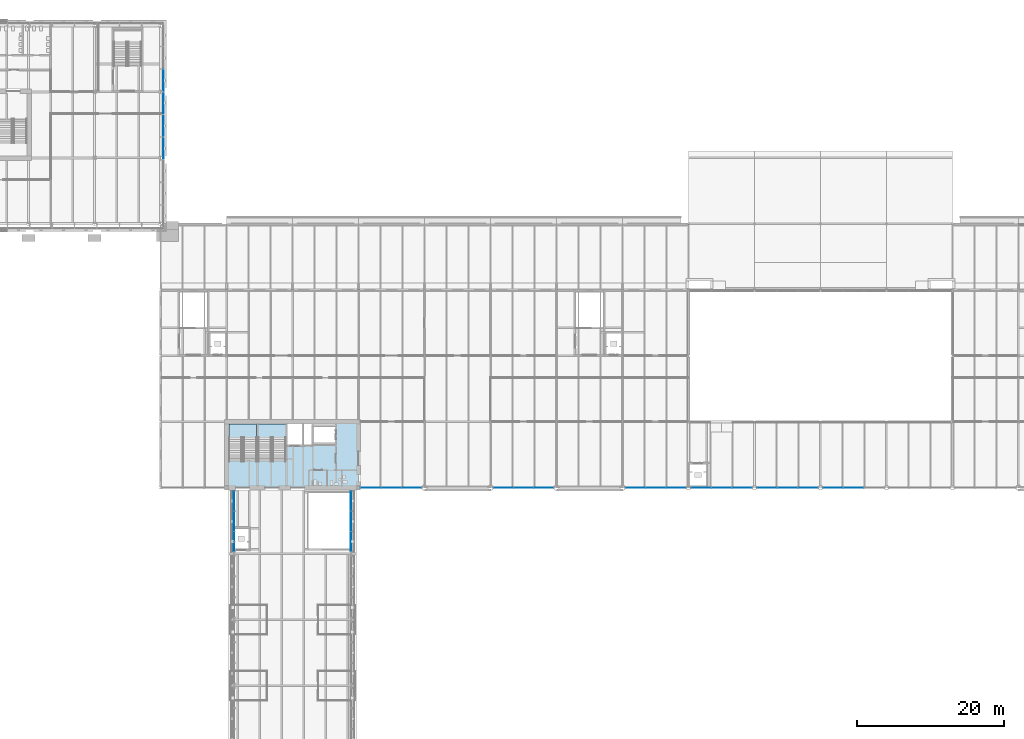
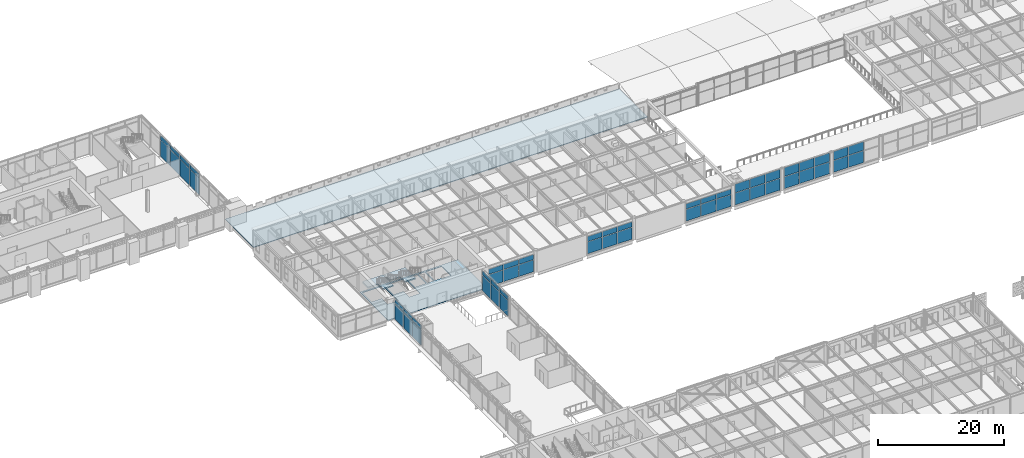
# One storey, part 55 of 123: 54 plates, 4 slabs, 11 elements without a shape of their own.
"""IFC4 building model written with IfcOpenShell, lengths in metres."""

from ifc_helpers import new_model, si_unit, direction, frame, origin, origin_2d, place, context, subcontext, project, spatial, polyline, rectangle, outline, extrude, material, layer, layer_set, type_object, element, aggregate, save


model = new_model("IFC4")

# Units and contexts
model_context = context("Model", 3, precision=1e-05, world=origin(), true_north=direction((0.0, 1.0)))
body_context = subcontext(model_context, "Body", "Model", "MODEL_VIEW")
ifc_project = project(units=[si_unit("LENGTHUNIT", "METRE"), si_unit("AREAUNIT", "SQUARE_METRE"), si_unit("VOLUMEUNIT", "CUBIC_METRE"), si_unit("PLANEANGLEUNIT", "RADIAN"), si_unit("MASSUNIT", "GRAM", prefix="KILO")], contexts=[model_context])

# Site, building, storey
site_placement = place(None, origin())
site = spatial("IfcSite", under=ifc_project, at=site_placement, CompositionType="ELEMENT")
building_placement = place(site_placement, origin())
building = spatial("IfcBuilding", under=site, at=building_placement, Name="Baradari Gate Terminus", CompositionType="ELEMENT")
storey_placement = place(building_placement, frame((0.0, 0.0, 7.5)))
storey = spatial("IfcBuildingStorey", under=building, at=storey_placement, Name="L01", CompositionType="ELEMENT", Elevation=7.5)

# Slabs
ifc_material_1 = material(Name="Concrete C35/45", Category="concrete")
ifc_layer_1 = layer(ifc_material_1, 0.1201171875)
ifc_layer_set_1 = layer_set([ifc_layer_1], Name="Concrete C35/45")
slab_type_1 = type_object("IfcSlabType", Name="Canopy roof slab SL7 120", PredefinedType="ROOF", material=ifc_layer_set_1)
slab_1_placement = place(storey_placement, frame((0.0, 0.0, 0.780029296875)))
element("IfcSlab", 1, at=slab_1_placement, inside=storey, type_object=slab_type_1, Name="Canopy roof", PredefinedType="ROOF", context=body_context, shape_type="SweptSolid", body=[
    extrude(outline(polyline([(63.0, 117.0), (63.0, 108.0), (135.0, 108.0), (135.0, 117.0), (63.0, 117.0)])), origin(), (0.0, 0.0, 1.0), 0.119873046875),
])
ifc_material_2 = material(Name="Concrete C35/45", Category="concrete")
ifc_layer_2 = layer(ifc_material_2, 0.1298828125)
ifc_layer_set_2 = layer_set([ifc_layer_2], Name="Concrete C35/45")
slab_type_2 = type_object("IfcSlabType", Name="Composite floor slab SL1 130", PredefinedType="FLOOR", material=ifc_layer_set_2)
slab_2_placement = place(storey_placement, frame((0.0, 0.0, -0.1298828125)))
element("IfcSlab", 2, at=slab_2_placement, inside=storey, type_object=slab_type_2, Name="Core floor GN", PredefinedType="FLOOR", context=body_context, shape_type="SweptSolid", body=[
    extrude(outline(polyline([(72.0, 81.0), (90.0, 81.0), (90.0, 90.0), (72.0, 90.0), (72.0, 81.0)]), holes=[polyline([(86.800048828125, 86.800048828125), (86.800048828125, 89.699951171875), (83.89990234375, 89.699951171875), (83.89990234375, 86.800048828125), (86.800048828125, 86.800048828125)]), polyline([(83.699951171875, 89.699951171875), (82.5, 89.699951171875), (82.5, 86.800048828125), (83.699951171875, 86.800048828125), (83.699951171875, 89.699951171875)]), polyline([(82.300048828125, 89.699951171875), (80.300048828125, 89.699951171875), (80.300048828125, 86.800048828125), (82.300048828125, 86.800048828125), (82.300048828125, 89.699951171875)]), polyline([(76.300048828125, 89.699951171875), (76.300048828125, 86.719970703125), (78.10009765625, 86.719970703125), (78.10009765625, 84.89990234375), (80.10009765625, 84.89990234375), (80.10009765625, 89.699951171875), (76.300048828125, 89.699951171875)]), polyline([(72.300048828125, 89.699951171875), (72.300048828125, 86.719970703125), (74.10009765625, 86.719970703125), (74.10009765625, 84.89990234375), (76.10009765625, 84.89990234375), (76.10009765625, 89.699951171875), (72.300048828125, 89.699951171875)])]), origin(), (0.0, 0.0, 1.0), 0.1298828125),
])

# Curtain wall, plates
ifc_material_3 = material(Name="Aluminium 6063-T6", Category="aluminium")
curtain_wall_type_1 = type_object("IfcCurtainWallType", Name="Curtain wall CW-11 concourse gallery glazing, other height", PredefinedType="NOTDEFINED", material=ifc_material_3)
curtain_wall_1_placement = place(storey_placement, origin())
curtain_wall_1 = element("IfcCurtainWall", 3, at=curtain_wall_1_placement, inside=storey, type_object=curtain_wall_type_1, Name="Glazed curtain wall CW-11 HS bay 16 L01", PredefinedType="NOTDEFINED")
ifc_material_4 = material(Name="Insulating glass unit", Category="glass")
ifc_layer_3 = layer(ifc_material_4, 0.0400390625)
ifc_layer_set_3 = layer_set([ifc_layer_3], Name="Insulating glass unit")
plate_type_1 = type_object("IfcPlateType", Name="Curtain wall glazing unit CP-11 40", PredefinedType="CURTAIN_PANEL", material=ifc_layer_set_3)
plate_1_placement = place(storey_placement, frame((136.723388671875, 81.0, 0.080078125), z_axis=(0.0, 0.0, 1.0), x_axis=(1.0, 0.0, 0.0)))
plate_1 = element("IfcPlate", 4, at=plate_1_placement, type_object=plate_type_1, Name="CW-11 panel 1.1", PredefinedType="CURTAIN_PANEL", context=body_context, shape_type="SweptSolid", body=[
    extrude(rectangle(XDim=2.6767578125, YDim=0.0400390625, at=origin_2d()), origin(), (0.0, 0.0, 1.0), 2.280029296875),
])
plate_2_placement = place(storey_placement, frame((136.723388671875, 81.0, 2.43994140625), z_axis=(0.0, 0.0, 1.0), x_axis=(1.0, 0.0, 0.0)))
plate_2 = element("IfcPlate", 5, at=plate_2_placement, type_object=plate_type_1, Name="CW-11 panel 1.2", PredefinedType="CURTAIN_PANEL", context=body_context, shape_type="SweptSolid", body=[
    extrude(rectangle(XDim=2.6767578125, YDim=0.0400390625, at=origin_2d()), origin(), (0.0, 0.0, 1.0), 1.679931640625),
])
plate_3_placement = place(storey_placement, frame((139.5, 81.0, 0.080078125), z_axis=(0.0, 0.0, 1.0), x_axis=(1.0, 0.0, 0.0)))
plate_3 = element("IfcPlate", 6, at=plate_3_placement, type_object=plate_type_1, Name="CW-11 panel 2.1", PredefinedType="CURTAIN_PANEL", context=body_context, shape_type="SweptSolid", body=[
    extrude(rectangle(XDim=2.716552734375, YDim=0.0400390625, at=origin_2d()), origin(), (0.0, 0.0, 1.0), 2.280029296875),
])
plate_4_placement = place(storey_placement, frame((139.5, 81.0, 2.43994140625), z_axis=(0.0, 0.0, 1.0), x_axis=(1.0, 0.0, 0.0)))
plate_4 = element("IfcPlate", 7, at=plate_4_placement, type_object=plate_type_1, Name="CW-11 panel 2.2", PredefinedType="CURTAIN_PANEL", context=body_context, shape_type="SweptSolid", body=[
    extrude(rectangle(XDim=2.716552734375, YDim=0.0400390625, at=origin_2d()), origin(), (0.0, 0.0, 1.0), 1.679931640625),
])
plate_5_placement = place(storey_placement, frame((142.276611328125, 81.0, 0.080078125), z_axis=(0.0, 0.0, 1.0), x_axis=(1.0, 0.0, 0.0)))
plate_5 = element("IfcPlate", 8, at=plate_5_placement, type_object=plate_type_1, Name="CW-11 panel 3.1", PredefinedType="CURTAIN_PANEL", context=body_context, shape_type="SweptSolid", body=[
    extrude(rectangle(XDim=2.6767578125, YDim=0.0400390625, at=origin_2d()), origin(), (0.0, 0.0, 1.0), 2.280029296875),
])
plate_6_placement = place(storey_placement, frame((142.276611328125, 81.0, 2.43994140625), z_axis=(0.0, 0.0, 1.0), x_axis=(1.0, 0.0, 0.0)))
plate_6 = element("IfcPlate", 9, at=plate_6_placement, type_object=plate_type_1, Name="CW-11 panel 3.2", PredefinedType="CURTAIN_PANEL", context=body_context, shape_type="SweptSolid", body=[
    extrude(rectangle(XDim=2.6767578125, YDim=0.0400390625, at=origin_2d()), origin(), (0.0, 0.0, 1.0), 1.679931640625),
])
aggregate(curtain_wall_1, [plate_1, plate_2, plate_3, plate_4, plate_5, plate_6])

curtain_wall_2_placement = place(storey_placement, origin())
curtain_wall_2 = element("IfcCurtainWall", 10, at=curtain_wall_2_placement, inside=storey, type_object=curtain_wall_type_1, Name="Glazed curtain wall CW-11 HS bay 17 L01", PredefinedType="NOTDEFINED")
plate_7_placement = place(storey_placement, frame((145.723388671875, 81.0, 0.080078125), z_axis=(0.0, 0.0, 1.0), x_axis=(1.0, 0.0, 0.0)))
plate_7 = element("IfcPlate", 11, at=plate_7_placement, type_object=plate_type_1, Name="CW-11 panel 1.1", PredefinedType="CURTAIN_PANEL", context=body_context, shape_type="SweptSolid", body=[
    extrude(rectangle(XDim=2.6767578125, YDim=0.0400390625, at=origin_2d()), origin(), (0.0, 0.0, 1.0), 2.280029296875),
])
plate_8_placement = place(storey_placement, frame((145.723388671875, 81.0, 2.43994140625), z_axis=(0.0, 0.0, 1.0), x_axis=(1.0, 0.0, 0.0)))
plate_8 = element("IfcPlate", 12, at=plate_8_placement, type_object=plate_type_1, Name="CW-11 panel 1.2", PredefinedType="CURTAIN_PANEL", context=body_context, shape_type="SweptSolid", body=[
    extrude(rectangle(XDim=2.6767578125, YDim=0.0400390625, at=origin_2d()), origin(), (0.0, 0.0, 1.0), 1.679931640625),
])
plate_9_placement = place(storey_placement, frame((148.5, 81.0, 0.080078125), z_axis=(0.0, 0.0, 1.0), x_axis=(1.0, 0.0, 0.0)))
plate_9 = element("IfcPlate", 13, at=plate_9_placement, type_object=plate_type_1, Name="CW-11 panel 2.1", PredefinedType="CURTAIN_PANEL", context=body_context, shape_type="SweptSolid", body=[
    extrude(rectangle(XDim=2.716552734375, YDim=0.0400390625, at=origin_2d()), origin(), (0.0, 0.0, 1.0), 2.280029296875),
])
plate_10_placement = place(storey_placement, frame((148.5, 81.0, 2.43994140625), z_axis=(0.0, 0.0, 1.0), x_axis=(1.0, 0.0, 0.0)))
plate_10 = element("IfcPlate", 14, at=plate_10_placement, type_object=plate_type_1, Name="CW-11 panel 2.2", PredefinedType="CURTAIN_PANEL", context=body_context, shape_type="SweptSolid", body=[
    extrude(rectangle(XDim=2.716552734375, YDim=0.0400390625, at=origin_2d()), origin(), (0.0, 0.0, 1.0), 1.679931640625),
])
plate_11_placement = place(storey_placement, frame((151.276611328125, 81.0, 0.080078125), z_axis=(0.0, 0.0, 1.0), x_axis=(1.0, 0.0, 0.0)))
plate_11 = element("IfcPlate", 15, at=plate_11_placement, type_object=plate_type_1, Name="CW-11 panel 3.1", PredefinedType="CURTAIN_PANEL", context=body_context, shape_type="SweptSolid", body=[
    extrude(rectangle(XDim=2.6767578125, YDim=0.0400390625, at=origin_2d()), origin(), (0.0, 0.0, 1.0), 2.280029296875),
])
plate_12_placement = place(storey_placement, frame((151.276611328125, 81.0, 2.43994140625), z_axis=(0.0, 0.0, 1.0), x_axis=(1.0, 0.0, 0.0)))
plate_12 = element("IfcPlate", 16, at=plate_12_placement, type_object=plate_type_1, Name="CW-11 panel 3.2", PredefinedType="CURTAIN_PANEL", context=body_context, shape_type="SweptSolid", body=[
    extrude(rectangle(XDim=2.6767578125, YDim=0.0400390625, at=origin_2d()), origin(), (0.0, 0.0, 1.0), 1.679931640625),
])
aggregate(curtain_wall_2, [plate_7, plate_8, plate_9, plate_10, plate_11, plate_12])

curtain_wall_3_placement = place(storey_placement, origin())
curtain_wall_3 = element("IfcCurtainWall", 17, at=curtain_wall_3_placement, inside=storey, type_object=curtain_wall_type_1, Name="Glazed curtain wall CW-11 HS bay 18 L01", PredefinedType="NOTDEFINED")
plate_13_placement = place(storey_placement, frame((154.723388671875, 81.0, 0.080078125), z_axis=(0.0, 0.0, 1.0), x_axis=(1.0, 0.0, 0.0)))
plate_13 = element("IfcPlate", 18, at=plate_13_placement, type_object=plate_type_1, Name="CW-11 panel 1.1", PredefinedType="CURTAIN_PANEL", context=body_context, shape_type="SweptSolid", body=[
    extrude(rectangle(XDim=2.6767578125, YDim=0.0400390625, at=origin_2d()), origin(), (0.0, 0.0, 1.0), 2.280029296875),
])
plate_14_placement = place(storey_placement, frame((154.723388671875, 81.0, 2.43994140625), z_axis=(0.0, 0.0, 1.0), x_axis=(1.0, 0.0, 0.0)))
plate_14 = element("IfcPlate", 19, at=plate_14_placement, type_object=plate_type_1, Name="CW-11 panel 1.2", PredefinedType="CURTAIN_PANEL", context=body_context, shape_type="SweptSolid", body=[
    extrude(rectangle(XDim=2.6767578125, YDim=0.0400390625, at=origin_2d()), origin(), (0.0, 0.0, 1.0), 1.679931640625),
])
plate_15_placement = place(storey_placement, frame((157.5, 81.0, 0.080078125), z_axis=(0.0, 0.0, 1.0), x_axis=(1.0, 0.0, 0.0)))
plate_15 = element("IfcPlate", 20, at=plate_15_placement, type_object=plate_type_1, Name="CW-11 panel 2.1", PredefinedType="CURTAIN_PANEL", context=body_context, shape_type="SweptSolid", body=[
    extrude(rectangle(XDim=2.716552734375, YDim=0.0400390625, at=origin_2d()), origin(), (0.0, 0.0, 1.0), 2.280029296875),
])
plate_16_placement = place(storey_placement, frame((157.5, 81.0, 2.43994140625), z_axis=(0.0, 0.0, 1.0), x_axis=(1.0, 0.0, 0.0)))
plate_16 = element("IfcPlate", 21, at=plate_16_placement, type_object=plate_type_1, Name="CW-11 panel 2.2", PredefinedType="CURTAIN_PANEL", context=body_context, shape_type="SweptSolid", body=[
    extrude(rectangle(XDim=2.716552734375, YDim=0.0400390625, at=origin_2d()), origin(), (0.0, 0.0, 1.0), 1.679931640625),
])
aggregate(curtain_wall_3, [plate_13, plate_14, plate_15, plate_16])

ifc_material_5 = material(Name="Aluminium 6063-T6", Category="aluminium")
curtain_wall_type_2 = type_object("IfcCurtainWallType", Name="Curtain wall CW-13 concourse gallery glazing", PredefinedType="NOTDEFINED", material=ifc_material_5)
curtain_wall_4_placement = place(storey_placement, origin())
curtain_wall_4 = element("IfcCurtainWall", 22, at=curtain_wall_4_placement, inside=storey, type_object=curtain_wall_type_2, Name="Glazed curtain wall CW-13 HS bay 11 L01", PredefinedType="NOTDEFINED")
ifc_material_6 = material(Name="Insulating glass unit", Category="glass")
ifc_layer_4 = layer(ifc_material_6, 0.0400390625)
ifc_layer_set_4 = layer_set([ifc_layer_4], Name="Insulating glass unit")
plate_type_2 = type_object("IfcPlateType", Name="Curtain wall glazing unit CP-13 40", PredefinedType="CURTAIN_PANEL", material=ifc_layer_set_4)
plate_17_placement = place(storey_placement, frame((91.669189453125, 81.0, 0.080078125), z_axis=(0.0, 0.0, 1.0), x_axis=(1.0, 0.0, 0.0)))
plate_17 = element("IfcPlate", 23, at=plate_17_placement, type_object=plate_type_2, Name="CW-13 panel 1.1", PredefinedType="CURTAIN_PANEL", context=body_context, shape_type="SweptSolid", body=[
    extrude(rectangle(XDim=2.67822265625, YDim=0.0400390625, at=origin_2d()), origin(), (0.0, 0.0, 1.0), 2.280029296875),
])
plate_18_placement = place(storey_placement, frame((91.669189453125, 81.0, 2.43994140625), z_axis=(0.0, 0.0, 1.0), x_axis=(1.0, 0.0, 0.0)))
plate_18 = element("IfcPlate", 24, at=plate_18_placement, type_object=plate_type_2, Name="CW-13 panel 1.2", PredefinedType="CURTAIN_PANEL", context=body_context, shape_type="SweptSolid", body=[
    extrude(rectangle(XDim=2.67822265625, YDim=0.0400390625, at=origin_2d()), origin(), (0.0, 0.0, 1.0), 0.996826171875),
])
plate_19_placement = place(storey_placement, frame((94.447265625, 81.0, 0.080078125), z_axis=(0.0, 0.0, 1.0), x_axis=(1.0, 0.0, 0.0)))
plate_19 = element("IfcPlate", 25, at=plate_19_placement, type_object=plate_type_2, Name="CW-13 panel 2.1", PredefinedType="CURTAIN_PANEL", context=body_context, shape_type="SweptSolid", body=[
    extrude(rectangle(XDim=2.71826171875, YDim=0.0400390625, at=origin_2d()), origin(), (0.0, 0.0, 1.0), 2.280029296875),
])
plate_20_placement = place(storey_placement, frame((94.447265625, 81.0, 2.43994140625), z_axis=(0.0, 0.0, 1.0), x_axis=(1.0, 0.0, 0.0)))
plate_20 = element("IfcPlate", 26, at=plate_20_placement, type_object=plate_type_2, Name="CW-13 panel 2.2", PredefinedType="CURTAIN_PANEL", context=body_context, shape_type="SweptSolid", body=[
    extrude(rectangle(XDim=2.71826171875, YDim=0.0400390625, at=origin_2d()), origin(), (0.0, 0.0, 1.0), 0.996826171875),
])
plate_21_placement = place(storey_placement, frame((97.225341796875, 81.0, 0.080078125), z_axis=(0.0, 0.0, 1.0), x_axis=(1.0, 0.0, 0.0)))
plate_21 = element("IfcPlate", 27, at=plate_21_placement, type_object=plate_type_2, Name="CW-13 panel 3.1", PredefinedType="CURTAIN_PANEL", context=body_context, shape_type="SweptSolid", body=[
    extrude(rectangle(XDim=2.67822265625, YDim=0.0400390625, at=origin_2d()), origin(), (0.0, 0.0, 1.0), 2.280029296875),
])
plate_22_placement = place(storey_placement, frame((97.225341796875, 81.0, 2.43994140625), z_axis=(0.0, 0.0, 1.0), x_axis=(1.0, 0.0, 0.0)))
plate_22 = element("IfcPlate", 28, at=plate_22_placement, type_object=plate_type_2, Name="CW-13 panel 3.2", PredefinedType="CURTAIN_PANEL", context=body_context, shape_type="SweptSolid", body=[
    extrude(rectangle(XDim=2.67822265625, YDim=0.0400390625, at=origin_2d()), origin(), (0.0, 0.0, 1.0), 0.996826171875),
])
aggregate(curtain_wall_4, [plate_17, plate_18, plate_19, plate_20, plate_21, plate_22])

curtain_wall_5_placement = place(storey_placement, origin())
curtain_wall_5 = element("IfcCurtainWall", 29, at=curtain_wall_5_placement, inside=storey, type_object=curtain_wall_type_2, Name="Glazed curtain wall CW-13 HS bay 13 L01", PredefinedType="NOTDEFINED")
plate_23_placement = place(storey_placement, frame((109.757080078125, 81.0, 0.080078125), z_axis=(0.0, 0.0, 1.0), x_axis=(1.0, 0.0, 0.0)))
plate_23 = element("IfcPlate", 30, at=plate_23_placement, type_object=plate_type_2, Name="CW-13 panel 1.1", PredefinedType="CURTAIN_PANEL", context=body_context, shape_type="SweptSolid", body=[
    extrude(rectangle(XDim=2.64306640625, YDim=0.0400390625, at=origin_2d()), origin(), (0.0, 0.0, 1.0), 2.280029296875),
])
plate_24_placement = place(storey_placement, frame((109.757080078125, 81.0, 2.43994140625), z_axis=(0.0, 0.0, 1.0), x_axis=(1.0, 0.0, 0.0)))
plate_24 = element("IfcPlate", 31, at=plate_24_placement, type_object=plate_type_2, Name="CW-13 panel 1.2", PredefinedType="CURTAIN_PANEL", context=body_context, shape_type="SweptSolid", body=[
    extrude(rectangle(XDim=2.64306640625, YDim=0.0400390625, at=origin_2d()), origin(), (0.0, 0.0, 1.0), 0.996826171875),
])
plate_25_placement = place(storey_placement, frame((112.5, 81.0, 0.080078125), z_axis=(0.0, 0.0, 1.0), x_axis=(1.0, 0.0, 0.0)))
plate_25 = element("IfcPlate", 32, at=plate_25_placement, type_object=plate_type_2, Name="CW-13 panel 2.1", PredefinedType="CURTAIN_PANEL", context=body_context, shape_type="SweptSolid", body=[
    extrude(rectangle(XDim=2.68310546875, YDim=0.0400390625, at=origin_2d()), origin(), (0.0, 0.0, 1.0), 2.280029296875),
])
plate_26_placement = place(storey_placement, frame((112.5, 81.0, 2.43994140625), z_axis=(0.0, 0.0, 1.0), x_axis=(1.0, 0.0, 0.0)))
plate_26 = element("IfcPlate", 33, at=plate_26_placement, type_object=plate_type_2, Name="CW-13 panel 2.2", PredefinedType="CURTAIN_PANEL", context=body_context, shape_type="SweptSolid", body=[
    extrude(rectangle(XDim=2.68310546875, YDim=0.0400390625, at=origin_2d()), origin(), (0.0, 0.0, 1.0), 0.996826171875),
])
plate_27_placement = place(storey_placement, frame((115.242919921875, 81.0, 0.080078125), z_axis=(0.0, 0.0, 1.0), x_axis=(1.0, 0.0, 0.0)))
plate_27 = element("IfcPlate", 34, at=plate_27_placement, type_object=plate_type_2, Name="CW-13 panel 3.1", PredefinedType="CURTAIN_PANEL", context=body_context, shape_type="SweptSolid", body=[
    extrude(rectangle(XDim=2.64306640625, YDim=0.0400390625, at=origin_2d()), origin(), (0.0, 0.0, 1.0), 2.280029296875),
])
plate_28_placement = place(storey_placement, frame((115.242919921875, 81.0, 2.43994140625), z_axis=(0.0, 0.0, 1.0), x_axis=(1.0, 0.0, 0.0)))
plate_28 = element("IfcPlate", 35, at=plate_28_placement, type_object=plate_type_2, Name="CW-13 panel 3.2", PredefinedType="CURTAIN_PANEL", context=body_context, shape_type="SweptSolid", body=[
    extrude(rectangle(XDim=2.64306640625, YDim=0.0400390625, at=origin_2d()), origin(), (0.0, 0.0, 1.0), 0.996826171875),
])
aggregate(curtain_wall_5, [plate_23, plate_24, plate_25, plate_26, plate_27, plate_28])

curtain_wall_6_placement = place(storey_placement, origin())
curtain_wall_6 = element("IfcCurtainWall", 36, at=curtain_wall_6_placement, inside=storey, type_object=curtain_wall_type_2, Name="Glazed curtain wall CW-13 HS bay 15 L01", PredefinedType="NOTDEFINED")
plate_29_placement = place(storey_placement, frame((127.765380859375, 81.0, 0.080078125), z_axis=(0.0, 0.0, 1.0), x_axis=(1.0, 0.0, 0.0)))
plate_29 = element("IfcPlate", 37, at=plate_29_placement, type_object=plate_type_2, Name="CW-13 panel 1.1", PredefinedType="CURTAIN_PANEL", context=body_context, shape_type="SweptSolid", body=[
    extrude(rectangle(XDim=2.659912109375, YDim=0.0400390625, at=origin_2d()), origin(), (0.0, 0.0, 1.0), 2.280029296875),
])
plate_30_placement = place(storey_placement, frame((127.765380859375, 81.0, 2.43994140625), z_axis=(0.0, 0.0, 1.0), x_axis=(1.0, 0.0, 0.0)))
plate_30 = element("IfcPlate", 38, at=plate_30_placement, type_object=plate_type_2, Name="CW-13 panel 1.2", PredefinedType="CURTAIN_PANEL", context=body_context, shape_type="SweptSolid", body=[
    extrude(rectangle(XDim=2.659912109375, YDim=0.0400390625, at=origin_2d()), origin(), (0.0, 0.0, 1.0), 0.996826171875),
])
plate_31_placement = place(storey_placement, frame((130.525146484375, 81.0, 0.080078125), z_axis=(0.0, 0.0, 1.0), x_axis=(1.0, 0.0, 0.0)))
plate_31 = element("IfcPlate", 39, at=plate_31_placement, type_object=plate_type_2, Name="CW-13 panel 2.1", PredefinedType="CURTAIN_PANEL", context=body_context, shape_type="SweptSolid", body=[
    extrude(rectangle(XDim=2.699951171875, YDim=0.0400390625, at=origin_2d()), origin(), (0.0, 0.0, 1.0), 2.280029296875),
])
plate_32_placement = place(storey_placement, frame((130.525146484375, 81.0, 2.43994140625), z_axis=(0.0, 0.0, 1.0), x_axis=(1.0, 0.0, 0.0)))
plate_32 = element("IfcPlate", 40, at=plate_32_placement, type_object=plate_type_2, Name="CW-13 panel 2.2", PredefinedType="CURTAIN_PANEL", context=body_context, shape_type="SweptSolid", body=[
    extrude(rectangle(XDim=2.699951171875, YDim=0.0400390625, at=origin_2d()), origin(), (0.0, 0.0, 1.0), 0.996826171875),
])
plate_33_placement = place(storey_placement, frame((133.28515625, 81.0, 0.080078125), z_axis=(0.0, 0.0, 1.0), x_axis=(1.0, 0.0, 0.0)))
plate_33 = element("IfcPlate", 41, at=plate_33_placement, type_object=plate_type_2, Name="CW-13 panel 3.1", PredefinedType="CURTAIN_PANEL", context=body_context, shape_type="SweptSolid", body=[
    extrude(rectangle(XDim=2.659912109375, YDim=0.0400390625, at=origin_2d()), origin(), (0.0, 0.0, 1.0), 2.280029296875),
])
plate_34_placement = place(storey_placement, frame((133.28515625, 81.0, 2.43994140625), z_axis=(0.0, 0.0, 1.0), x_axis=(1.0, 0.0, 0.0)))
plate_34 = element("IfcPlate", 42, at=plate_34_placement, type_object=plate_type_2, Name="CW-13 panel 3.2", PredefinedType="CURTAIN_PANEL", context=body_context, shape_type="SweptSolid", body=[
    extrude(rectangle(XDim=2.659912109375, YDim=0.0400390625, at=origin_2d()), origin(), (0.0, 0.0, 1.0), 0.996826171875),
])
aggregate(curtain_wall_6, [plate_29, plate_30, plate_31, plate_32, plate_33, plate_34])

ifc_material_7 = material(Name="Aluminium 6063-T6", Category="aluminium")
curtain_wall_type_3 = type_object("IfcCurtainWallType", Name="Curtain wall CW-14 concourse bridge glazing", PredefinedType="NOTDEFINED", material=ifc_material_7)
curtain_wall_7_placement = place(storey_placement, origin())
curtain_wall_7 = element("IfcCurtainWall", 43, at=curtain_wall_7_placement, inside=storey, type_object=curtain_wall_type_3, Name="Curtain wall CW-3 gate west face L01 bay 5", PredefinedType="NOTDEFINED")
ifc_material_8 = material(Name="Insulating glass unit", Category="glass")
ifc_layer_5 = layer(ifc_material_8, 0.0400390625)
ifc_layer_set_5 = layer_set([ifc_layer_5], Name="Insulating glass unit")
plate_type_3 = type_object("IfcPlateType", Name="Curtain wall glazing unit CP-14 40", PredefinedType="CURTAIN_PANEL", material=ifc_layer_set_5)
plate_35_placement = place(storey_placement, frame((73.02490234375, 76.425048828125, 0.10009765625), z_axis=(0.0, 0.0, 1.0), x_axis=(0.0, 1.0, 0.0)))
plate_35 = element("IfcPlate", 44, at=plate_35_placement, type_object=plate_type_3, Name="CW-14 panel 2.1", PredefinedType="CURTAIN_PANEL", context=body_context, shape_type="SweptSolid", body=[
    extrude(rectangle(XDim=2.683349609375, YDim=0.0400390625, at=origin_2d()), origin(), (0.0, 0.0, 1.0), 3.0),
])
plate_36_placement = place(storey_placement, frame((73.02490234375, 79.183349609375, 0.10009765625), z_axis=(0.0, 0.0, 1.0), x_axis=(0.0, 1.0, 0.0)))
plate_36 = element("IfcPlate", 45, at=plate_36_placement, type_object=plate_type_3, Name="CW-14 panel 3.1", PredefinedType="CURTAIN_PANEL", context=body_context, shape_type="SweptSolid", body=[
    extrude(rectangle(XDim=2.63330078125, YDim=0.0400390625, at=origin_2d()), origin(), (0.0, 0.0, 1.0), 3.0),
])

curtain_wall_8_placement = place(storey_placement, origin())
curtain_wall_8 = element("IfcCurtainWall", 46, at=curtain_wall_8_placement, inside=storey, type_object=curtain_wall_type_3, Name="Curtain wall CW-3 gate east face L01 bay 5", PredefinedType="NOTDEFINED")
plate_37_placement = place(storey_placement, frame((88.97509765625, 76.425048828125, 0.10009765625), z_axis=(0.0, 0.0, 1.0), x_axis=(0.0, 1.0, 0.0)))
plate_37 = element("IfcPlate", 47, at=plate_37_placement, type_object=plate_type_3, Name="CW-14 panel 2.1", PredefinedType="CURTAIN_PANEL", context=body_context, shape_type="SweptSolid", body=[
    extrude(rectangle(XDim=2.683349609375, YDim=0.0400390625, at=origin_2d()), origin(), (0.0, 0.0, 1.0), 3.0),
])
plate_38_placement = place(storey_placement, frame((88.97509765625, 79.183349609375, 0.10009765625), z_axis=(0.0, 0.0, 1.0), x_axis=(0.0, 1.0, 0.0)))
plate_38 = element("IfcPlate", 48, at=plate_38_placement, type_object=plate_type_3, Name="CW-14 panel 3.1", PredefinedType="CURTAIN_PANEL", context=body_context, shape_type="SweptSolid", body=[
    extrude(rectangle(XDim=2.63330078125, YDim=0.0400390625, at=origin_2d()), origin(), (0.0, 0.0, 1.0), 3.0),
])

ifc_material_9 = material(Name="Aluminium 6063-T6", Category="aluminium")
curtain_wall_type_4 = type_object("IfcCurtainWallType", Name="Curtain wall CW-9 block gallery storey", PredefinedType="NOTDEFINED", material=ifc_material_9)
curtain_wall_9_placement = place(storey_placement, origin())
curtain_wall_9 = element("IfcCurtainWall", 49, at=curtain_wall_9_placement, inside=storey, type_object=curtain_wall_type_4, Name="Curtain wall CW-9 Operations block E face L01", PredefinedType="NOTDEFINED")
ifc_material_10 = material(Name="Insulating glass unit", Category="glass")
ifc_layer_6 = layer(ifc_material_10, 0.02001953125)
ifc_layer_set_6 = layer_set([ifc_layer_6], Name="Insulating glass unit")
plate_type_4 = type_object("IfcPlateType", Name="Curtain wall glazing unit CP-9 20", PredefinedType="CURTAIN_PANEL", material=ifc_layer_set_6)
plate_39_placement = place(storey_placement, frame((63.382568359375, 127.287109375, 0.06982421875), z_axis=(0.0, 0.0, 1.0), x_axis=(0.0, 1.0, 0.0)))
plate_39 = element("IfcPlate", 50, at=plate_39_placement, type_object=plate_type_4, Name="CW-9 panel 4.1", PredefinedType="CURTAIN_PANEL", context=body_context, shape_type="SweptSolid", body=[
    extrude(rectangle(XDim=3.017822265625, YDim=0.02001953125, at=origin_2d()), origin(), (0.0, 0.0, 1.0), 3.195068359375),
])
plate_40_placement = place(storey_placement, frame((63.382568359375, 130.375, 0.06982421875), z_axis=(0.0, 0.0, 1.0), x_axis=(0.0, 1.0, 0.0)))
plate_40 = element("IfcPlate", 51, at=plate_40_placement, type_object=plate_type_4, Name="CW-9 panel 5.1", PredefinedType="CURTAIN_PANEL", context=body_context, shape_type="SweptSolid", body=[
    extrude(rectangle(XDim=3.017822265625, YDim=0.02001953125, at=origin_2d()), origin(), (0.0, 0.0, 1.0), 3.195068359375),
])
plate_41_placement = place(storey_placement, frame((63.382568359375, 133.462890625, 0.06982421875), z_axis=(0.0, 0.0, 1.0), x_axis=(0.0, 1.0, 0.0)))
plate_41 = element("IfcPlate", 52, at=plate_41_placement, type_object=plate_type_4, Name="CW-9 panel 6.1", PredefinedType="CURTAIN_PANEL", context=body_context, shape_type="SweptSolid", body=[
    extrude(rectangle(XDim=3.017822265625, YDim=0.02001953125, at=origin_2d()), origin(), (0.0, 0.0, 1.0), 3.195068359375),
])
plate_42_placement = place(storey_placement, frame((63.382568359375, 136.550537109375, 0.06982421875), z_axis=(0.0, 0.0, 1.0), x_axis=(0.0, 1.0, 0.0)))
plate_42 = element("IfcPlate", 53, at=plate_42_placement, type_object=plate_type_4, Name="CW-9 panel 7.1", PredefinedType="CURTAIN_PANEL", context=body_context, shape_type="SweptSolid", body=[
    extrude(rectangle(XDim=3.017822265625, YDim=0.02001953125, at=origin_2d()), origin(), (0.0, 0.0, 1.0), 3.195068359375),
])

# Plate
ifc_material_11 = material(Name="Back-painted glass", Category="glass")
ifc_layer_7 = layer(ifc_material_11, 0.080078125)
ifc_layer_set_7 = layer_set([ifc_layer_7], Name="Back-painted glass")
plate_type_5 = type_object("IfcPlateType", Name="Curtain wall spandrel panel CP-S14 80", PredefinedType="CURTAIN_PANEL", material=ifc_layer_set_7)
plate_43_placement = place(storey_placement, frame((73.02490234375, 73.666748046875, 0.10009765625), z_axis=(0.0, 0.0, 1.0), x_axis=(0.0, 1.0, 0.0)))
plate_43 = element("IfcPlate", 54, at=plate_43_placement, type_object=plate_type_5, Name="CW-14 spandrel panel 1.1", PredefinedType="CURTAIN_PANEL", context=body_context, shape_type="SweptSolid", body=[
    extrude(rectangle(XDim=2.63330078125, YDim=0.080078125, at=origin_2d()), origin(), (0.0, 0.0, 1.0), 3.0),
])

plate_44_placement = place(storey_placement, frame((73.02490234375, 73.666748046875, 3.199951171875), z_axis=(0.0, 0.0, 1.0), x_axis=(0.0, 1.0, 0.0)))
plate_44 = element("IfcPlate", 55, at=plate_44_placement, type_object=plate_type_5, Name="CW-14 spandrel panel 1.2", PredefinedType="CURTAIN_PANEL", context=body_context, shape_type="SweptSolid", body=[
    extrude(rectangle(XDim=2.63330078125, YDim=0.080078125, at=origin_2d()), origin(), (0.0, 0.0, 1.0), 0.75),
])

plate_45_placement = place(storey_placement, frame((73.02490234375, 76.425048828125, 3.199951171875), z_axis=(0.0, 0.0, 1.0), x_axis=(0.0, 1.0, 0.0)))
plate_45 = element("IfcPlate", 56, at=plate_45_placement, type_object=plate_type_5, Name="CW-14 spandrel panel 2.2", PredefinedType="CURTAIN_PANEL", context=body_context, shape_type="SweptSolid", body=[
    extrude(rectangle(XDim=2.683349609375, YDim=0.080078125, at=origin_2d()), origin(), (0.0, 0.0, 1.0), 0.75),
])

plate_46_placement = place(storey_placement, frame((73.02490234375, 79.183349609375, 3.199951171875), z_axis=(0.0, 0.0, 1.0), x_axis=(0.0, 1.0, 0.0)))
plate_46 = element("IfcPlate", 57, at=plate_46_placement, type_object=plate_type_5, Name="CW-14 spandrel panel 3.2", PredefinedType="CURTAIN_PANEL", context=body_context, shape_type="SweptSolid", body=[
    extrude(rectangle(XDim=2.63330078125, YDim=0.080078125, at=origin_2d()), origin(), (0.0, 0.0, 1.0), 0.75),
])

aggregate(curtain_wall_7, [plate_43, plate_44, plate_35, plate_45, plate_36, plate_46])

plate_47_placement = place(storey_placement, frame((88.97509765625, 73.666748046875, 0.10009765625), z_axis=(0.0, 0.0, 1.0), x_axis=(0.0, 1.0, 0.0)))
plate_47 = element("IfcPlate", 58, at=plate_47_placement, type_object=plate_type_5, Name="CW-14 spandrel panel 1.1", PredefinedType="CURTAIN_PANEL", context=body_context, shape_type="SweptSolid", body=[
    extrude(rectangle(XDim=2.63330078125, YDim=0.080078125, at=origin_2d()), origin(), (0.0, 0.0, 1.0), 3.0),
])

plate_48_placement = place(storey_placement, frame((88.97509765625, 73.666748046875, 3.199951171875), z_axis=(0.0, 0.0, 1.0), x_axis=(0.0, 1.0, 0.0)))
plate_48 = element("IfcPlate", 59, at=plate_48_placement, type_object=plate_type_5, Name="CW-14 spandrel panel 1.2", PredefinedType="CURTAIN_PANEL", context=body_context, shape_type="SweptSolid", body=[
    extrude(rectangle(XDim=2.63330078125, YDim=0.080078125, at=origin_2d()), origin(), (0.0, 0.0, 1.0), 0.75),
])

plate_49_placement = place(storey_placement, frame((88.97509765625, 76.425048828125, 3.199951171875), z_axis=(0.0, 0.0, 1.0), x_axis=(0.0, 1.0, 0.0)))
plate_49 = element("IfcPlate", 60, at=plate_49_placement, type_object=plate_type_5, Name="CW-14 spandrel panel 2.2", PredefinedType="CURTAIN_PANEL", context=body_context, shape_type="SweptSolid", body=[
    extrude(rectangle(XDim=2.683349609375, YDim=0.080078125, at=origin_2d()), origin(), (0.0, 0.0, 1.0), 0.75),
])

plate_50_placement = place(storey_placement, frame((88.97509765625, 79.183349609375, 3.199951171875), z_axis=(0.0, 0.0, 1.0), x_axis=(0.0, 1.0, 0.0)))
plate_50 = element("IfcPlate", 61, at=plate_50_placement, type_object=plate_type_5, Name="CW-14 spandrel panel 3.2", PredefinedType="CURTAIN_PANEL", context=body_context, shape_type="SweptSolid", body=[
    extrude(rectangle(XDim=2.63330078125, YDim=0.080078125, at=origin_2d()), origin(), (0.0, 0.0, 1.0), 0.75),
])

aggregate(curtain_wall_8, [plate_47, plate_48, plate_37, plate_49, plate_38, plate_50])

ifc_material_12 = material(Name="Back-painted glass", Category="glass")
ifc_layer_8 = layer(ifc_material_12, 0.070068359375)
ifc_layer_set_8 = layer_set([ifc_layer_8], Name="Back-painted glass")
plate_type_6 = type_object("IfcPlateType", Name="Curtain wall spandrel panel CP-S9 70", PredefinedType="CURTAIN_PANEL", material=ifc_layer_set_8)
plate_51_placement = place(storey_placement, frame((63.382568359375, 127.287109375, 3.3349609375), z_axis=(0.0, 0.0, 1.0), x_axis=(0.0, 1.0, 0.0)))
plate_51 = element("IfcPlate", 62, at=plate_51_placement, type_object=plate_type_6, Name="CW-9 spandrel panel 4.2", PredefinedType="CURTAIN_PANEL", context=body_context, shape_type="SweptSolid", body=[
    extrude(rectangle(XDim=3.017822265625, YDim=0.070068359375, at=origin_2d()), origin(), (0.0, 0.0, 1.0), 0.794921875),
])

plate_52_placement = place(storey_placement, frame((63.382568359375, 130.375, 3.3349609375), z_axis=(0.0, 0.0, 1.0), x_axis=(0.0, 1.0, 0.0)))
plate_52 = element("IfcPlate", 63, at=plate_52_placement, type_object=plate_type_6, Name="CW-9 spandrel panel 5.2", PredefinedType="CURTAIN_PANEL", context=body_context, shape_type="SweptSolid", body=[
    extrude(rectangle(XDim=3.017822265625, YDim=0.070068359375, at=origin_2d()), origin(), (0.0, 0.0, 1.0), 0.794921875),
])

plate_53_placement = place(storey_placement, frame((63.382568359375, 133.462890625, 3.3349609375), z_axis=(0.0, 0.0, 1.0), x_axis=(0.0, 1.0, 0.0)))
plate_53 = element("IfcPlate", 64, at=plate_53_placement, type_object=plate_type_6, Name="CW-9 spandrel panel 6.2", PredefinedType="CURTAIN_PANEL", context=body_context, shape_type="SweptSolid", body=[
    extrude(rectangle(XDim=3.017822265625, YDim=0.070068359375, at=origin_2d()), origin(), (0.0, 0.0, 1.0), 0.794921875),
])

plate_54_placement = place(storey_placement, frame((63.382568359375, 136.550537109375, 3.3349609375), z_axis=(0.0, 0.0, 1.0), x_axis=(0.0, 1.0, 0.0)))
plate_54 = element("IfcPlate", 65, at=plate_54_placement, type_object=plate_type_6, Name="CW-9 spandrel panel 7.2", PredefinedType="CURTAIN_PANEL", context=body_context, shape_type="SweptSolid", body=[
    extrude(rectangle(XDim=3.017822265625, YDim=0.070068359375, at=origin_2d()), origin(), (0.0, 0.0, 1.0), 0.794921875),
])

aggregate(curtain_wall_9, [plate_39, plate_51, plate_40, plate_52, plate_41, plate_53, plate_42, plate_54])

# Stair, slab
ifc_material_13 = material(Name="Concrete C32/40", Category="concrete")
stair_type_1 = type_object("IfcStairType", Name="Exit stair ST-GN1 riser 175 x 1800", PredefinedType="HALF_TURN_STAIR", material=ifc_material_13)
stair_1_placement = place(storey_placement, origin())
stair_1 = element("IfcStair", 66, at=stair_1_placement, inside=storey, type_object=stair_type_1, Name="Stair ST-GN1 L01 to L02", PredefinedType="HALF_TURN_STAIR")
ifc_material_14 = material(Name="Concrete C32/40", Category="concrete")
ifc_layer_9 = layer(ifc_material_14, 0.25)
ifc_layer_set_9 = layer_set([ifc_layer_9], Name="Concrete C32/40")
slab_type_3 = type_object("IfcSlabType", Name="Stair landing LS-5 250", PredefinedType="LANDING", material=ifc_layer_set_9)
slab_3_placement = place(storey_placement, frame((0.0, 0.0, 1.85009765625)))
slab_3 = element("IfcSlab", 67, at=slab_3_placement, type_object=slab_type_3, Name="ST-GN1 landing 1", PredefinedType="LANDING", context=body_context, shape_type="SweptSolid", body=[
    extrude(outline(polyline([(72.300048828125, 89.699951171875), (72.300048828125, 87.8798828125), (74.10009765625, 87.8798828125), (74.10009765625, 86.364990234375), (74.300048828125, 86.364990234375), (76.10009765625, 86.364990234375), (76.10009765625, 89.699951171875), (72.300048828125, 89.699951171875)])), origin(), (0.0, 0.0, 1.0), 0.25),
])
aggregate(stair_1, [slab_3])

ifc_material_15 = material(Name="Concrete C32/40", Category="concrete")
stair_type_2 = type_object("IfcStairType", Name="Exit stair ST-GN2 riser 175 x 1800", PredefinedType="HALF_TURN_STAIR", material=ifc_material_15)
stair_2_placement = place(storey_placement, origin())
stair_2 = element("IfcStair", 68, at=stair_2_placement, inside=storey, type_object=stair_type_2, Name="Stair ST-GN2 L01 to L02", PredefinedType="HALF_TURN_STAIR")
slab_4_placement = place(storey_placement, frame((0.0, 0.0, 1.85009765625)))
slab_4 = element("IfcSlab", 69, at=slab_4_placement, type_object=slab_type_3, Name="ST-GN2 landing 1", PredefinedType="LANDING", context=body_context, shape_type="SweptSolid", body=[
    extrude(outline(polyline([(76.300048828125, 89.699951171875), (76.300048828125, 87.8798828125), (78.10009765625, 87.8798828125), (78.10009765625, 86.364990234375), (78.300048828125, 86.364990234375), (80.10009765625, 86.364990234375), (80.10009765625, 89.699951171875), (76.300048828125, 89.699951171875)])), origin(), (0.0, 0.0, 1.0), 0.25),
])
aggregate(stair_2, [slab_4])

save(model, "model.ifc")
